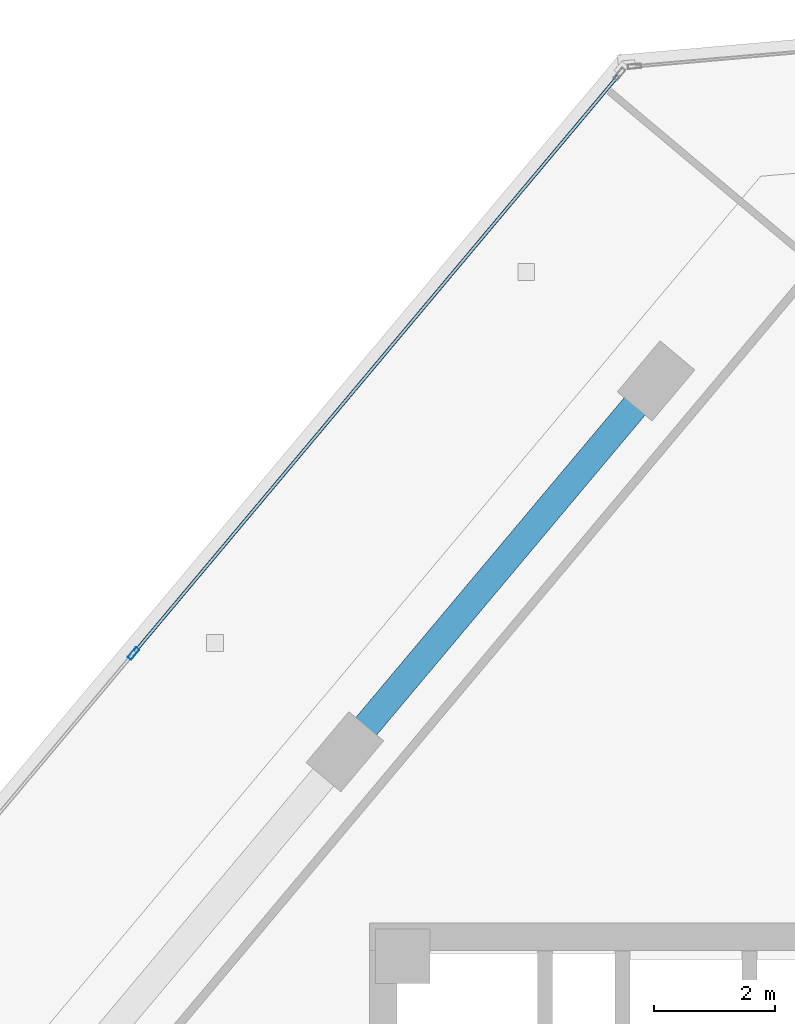
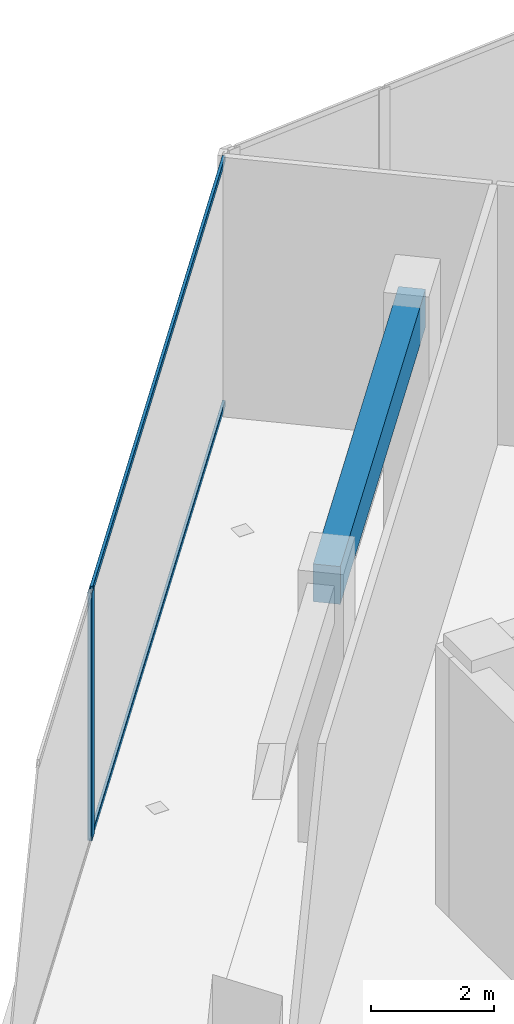
# One storey, part 8 of 17: 3 members, 1 beam, 1 element without a shape of its own.
"""IFC4 building model written with IfcOpenShell, lengths in metres."""

from ifc_helpers import new_model, si_unit, direction, frame, origin, origin_2d, place, context, subcontext, project, spatial, rectangle, hollow_rectangle, extrude, source, transform, mapped, material, material_profile, profile_set, type_object, element, aggregate, save


model = new_model("IFC4")

# Units and contexts
model_context = context("Model", 3, precision=1e-05, world=origin(), true_north=direction((0.0, 1.0)))
body_context = subcontext(model_context, "Body", "Model", "MODEL_VIEW")
ifc_project = project(units=[si_unit("LENGTHUNIT", "METRE"), si_unit("AREAUNIT", "SQUARE_METRE"), si_unit("VOLUMEUNIT", "CUBIC_METRE"), si_unit("PLANEANGLEUNIT", "RADIAN"), si_unit("MASSUNIT", "GRAM", prefix="KILO")], contexts=[model_context])

# Site, building, storey
site_placement = place(None, origin())
site = spatial("IfcSite", under=ifc_project, at=site_placement, CompositionType="ELEMENT")
building_placement = place(site_placement, origin())
building = spatial("IfcBuilding", under=site, at=building_placement, Name="Torre Montelarca", CompositionType="ELEMENT")
storey_placement = place(building_placement, frame((0.0, 0.0, 215.199951171875)))
storey = spatial("IfcBuildingStorey", under=building, at=storey_placement, Name="L48", CompositionType="ELEMENT", Elevation=215.199951171875)

# Beam
ifc_material_1 = material(Name="Concrete C55/67", Category="concrete")
ifc_material_profile_1 = material_profile(ifc_material_1, rectangle(XDim=0.449951171875, YDim=0.75, at=origin_2d()), Name="RCB450X750", Category="concrete")
ifc_profile_set_1 = profile_set([ifc_material_profile_1], Name="Concrete C55/67")
beam_type = type_object("IfcBeamType", Name="BM-SP-RC750-EXT", PredefinedType="SPANDREL", material=ifc_profile_set_1)
shared_shape_1 = source(origin(), body_context, "Body", "SweptSolid", [
    extrude(rectangle(XDim=0.449951171875, YDim=0.75, at=origin_2d()), origin(), (0.0, 0.0, 1.0), 8.0),
])
beam_placement = place(storey_placement, frame((8.59228515625, 42.8310546875, 4.78515625), z_axis=(0.642801223034, 0.766033019958, 0.0), x_axis=(-0.766033019958, 0.642801223034, 0.0)))
element("IfcBeam", 1, at=beam_placement, inside=storey, type_object=beam_type, Name="L48 Grid Girder Y 32.0-40.0 at X=4.7", PredefinedType="SPANDREL", context=body_context, shape_type="MappedRepresentation", body=[
    mapped(shared_shape_1, transform((0.0, 0.0, 0.0), scale=1.0)),
])

# Curtain wall, members
ifc_material_2 = material(Name="Insulated low-E laminated glass", Category="glass")
curtain_wall_type = type_object("IfcCurtainWallType", Name="CW-SYS-Z3", PredefinedType="USERDEFINED", material=ifc_material_2)
curtain_wall_placement = place(storey_placement, origin())
curtain_wall = element("IfcCurtainWall", 2, at=curtain_wall_placement, inside=storey, type_object=curtain_wall_type, Name="L48 Curtain Wall Run CW-T3-L48-E10-B1", ObjectType="UNITISED GLAZING", PredefinedType="USERDEFINED")
ifc_material_3 = material(Name="Anodised aluminium AA 6063-T6", Category="aluminium")
ifc_material_profile_2 = material_profile(ifc_material_3, hollow_rectangle(XDim=0.074951171875, YDim=0.219970703125, WallThickness=0.0048828125, InnerFilletRadius=0.0048828125, OuterFilletRadius=0.010009765625, at=origin_2d()), Name="ALU75X220X5", Category="aluminium")
ifc_profile_set_2 = profile_set([ifc_material_profile_2], Name="Anodised aluminium AA 6063-T6")
member_type_1 = type_object("IfcMemberType", Name="CWM-ALU220", PredefinedType="MULLION", material=ifc_profile_set_2)
shared_shape_2 = source(origin(), body_context, "Body", "SweptSolid", [
    extrude(hollow_rectangle(XDim=0.074951171875, YDim=0.219970703125, WallThickness=0.0048828125, InnerFilletRadius=0.0048828125, OuterFilletRadius=0.010009765625, at=origin_2d()), origin(), (0.0, 0.0, 1.0), 4.920166015625),
])
member_1_placement = place(storey_placement, frame((5.099609375, 44.4560546875, 0.0), z_axis=(0.0, 0.0, 1.0), x_axis=(0.766043772472, -0.642788408931, 0.0)))
member_1 = element("IfcMember", 3, at=member_1_placement, type_object=member_type_1, Name="CW mullion 2", PredefinedType="MULLION", context=body_context, shape_type="MappedRepresentation", body=[
    mapped(shared_shape_2, transform((0.0, 0.0, 0.0), scale=1.0)),
])
ifc_material_profile_3 = material_profile(ifc_material_3, hollow_rectangle(XDim=0.054931640625, YDim=0.1201171875, WallThickness=0.00341796875, InnerFilletRadius=0.00341796875, OuterFilletRadius=0.007080078125, at=origin_2d()), Name="ALU55X120X3.5", Category="aluminium")
ifc_profile_set_3 = profile_set([ifc_material_profile_3], Name="Anodised aluminium AA 6063-T6")
member_type_2 = type_object("IfcMemberType", Name="CWT-ALU120", PredefinedType="USERDEFINED", material=ifc_profile_set_3)
shared_shape_3 = source(origin(), body_context, "Body", "SweptSolid", [
    extrude(hollow_rectangle(XDim=0.054931640625, YDim=0.1201171875, WallThickness=0.00341796875, InnerFilletRadius=0.00341796875, OuterFilletRadius=0.007080078125, at=origin_2d()), origin(), (0.0, 0.0, 1.0), 12.421630859375),
])
member_2_placement = place(storey_placement, frame((13.1083984375, 54.000244140625, 0.027587890625), z_axis=(-0.64280020299, -0.766033875907, 0.0), x_axis=(0.766033875907, -0.64280020299, 0.0)))
member_2 = element("IfcMember", 4, at=member_2_placement, type_object=member_type_2, Name="CW transom 1.1", ObjectType="TRANSOM", PredefinedType="USERDEFINED", context=body_context, shape_type="MappedRepresentation", body=[
    mapped(shared_shape_3, transform((0.0, 0.0, 0.0), scale=1.0)),
])
member_3_placement = place(storey_placement, frame((13.1083984375, 54.000244140625, 4.892578125), z_axis=(-0.64280020299, -0.766033875907, 0.0), x_axis=(0.766033875907, -0.64280020299, 0.0)))
member_3 = element("IfcMember", 5, at=member_3_placement, type_object=member_type_2, Name="CW transom 1.2", ObjectType="TRANSOM", PredefinedType="USERDEFINED", context=body_context, shape_type="MappedRepresentation", body=[
    mapped(shared_shape_3, transform((0.0, 0.0, 0.0), scale=1.0)),
])
aggregate(curtain_wall, [member_1, member_2, member_3])

save(model, "model.ifc")
